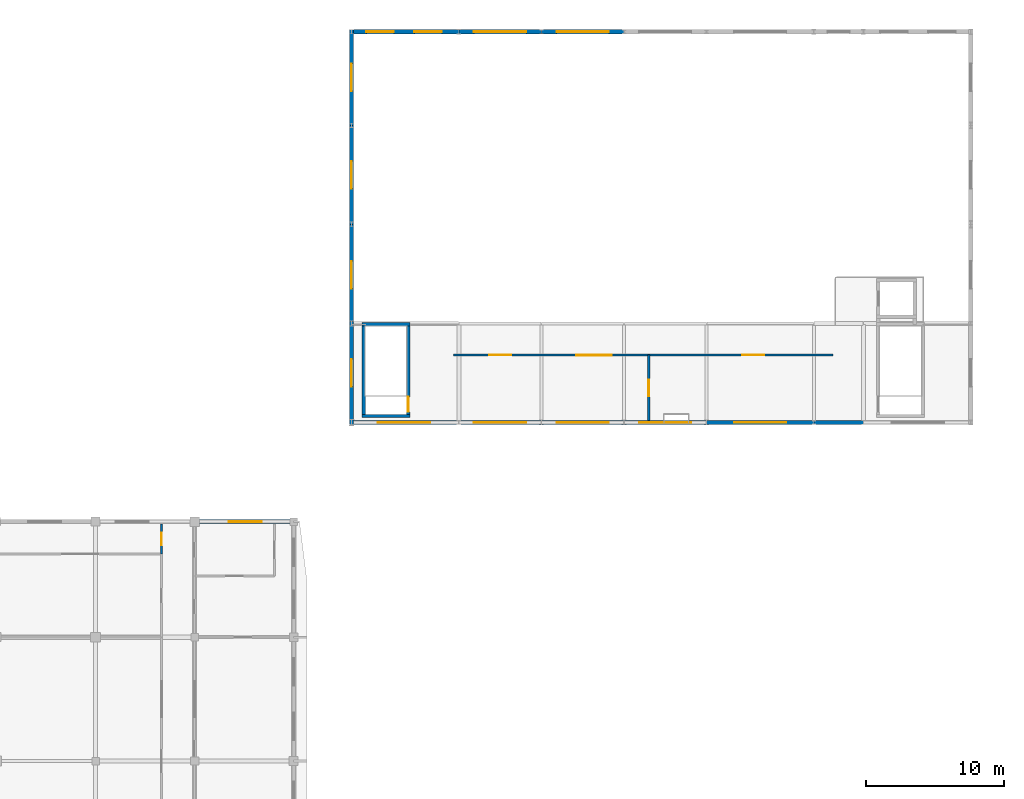
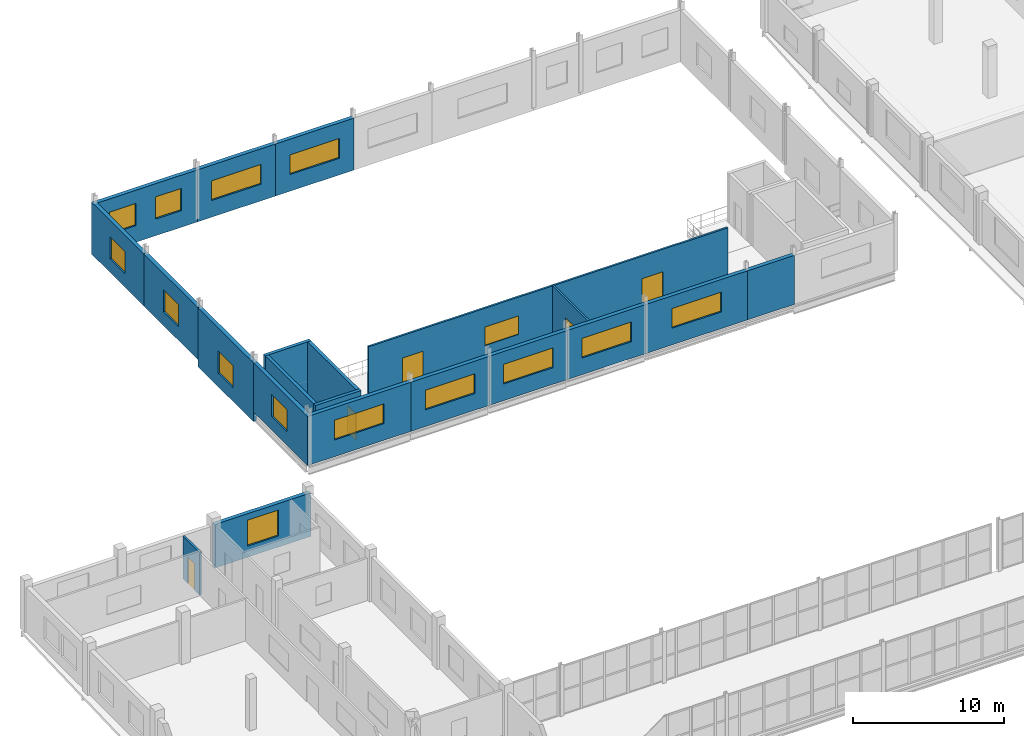
# One storey, part 101 of 121: 22 walls, 16 windows, 4 doors, 20 openings.
"""IFC4 building model written with IfcOpenShell, lengths in metres."""

from ifc_helpers import new_model, si_unit, direction, frame, frame_2d, origin, place, context, subcontext, project, spatial, rectangle, extrude, material, layer, layer_set, type_object, element, fill, save


model = new_model("IFC4")

# Units and contexts
model_context = context("Model", 3, precision=1e-05, world=origin(), true_north=direction((0.0, 1.0)))
body_context = subcontext(model_context, "Body", "Model", "MODEL_VIEW")
ifc_project = project(units=[si_unit("LENGTHUNIT", "METRE"), si_unit("AREAUNIT", "SQUARE_METRE"), si_unit("VOLUMEUNIT", "CUBIC_METRE"), si_unit("PLANEANGLEUNIT", "RADIAN"), si_unit("MASSUNIT", "GRAM", prefix="KILO")], contexts=[model_context])

# Site, building, storey
site_placement = place(None, origin())
site = spatial("IfcSite", under=ifc_project, at=site_placement, CompositionType="ELEMENT")
building_placement = place(site_placement, origin())
building = spatial("IfcBuilding", under=site, at=building_placement, Name="Vinh Khe Railworks Police Headquarters", CompositionType="ELEMENT")
storey_placement = place(building_placement, frame((0.0, 0.0, 4.800048828125)))
storey = spatial("IfcBuildingStorey", under=building, at=storey_placement, Name="L01", CompositionType="ELEMENT", Elevation=4.800048828125)

# Wall
ifc_material_1 = material(Name="Concrete C40/50 (B40)", Category="concrete")
ifc_layer_1 = layer(ifc_material_1, 0.25)
ifc_layer_set_1 = layer_set([ifc_layer_1], Name="Concrete C40/50 (B40)")
wall_type_1 = type_object("IfcWallType", Name="CW-RC-250", PredefinedType="SHEAR", material=ifc_layer_set_1)
wall_1_placement = place(storey_placement, frame((27.27490234375, 138.35009765625, 0.0), z_axis=(0.0, 0.0, 1.0), x_axis=(0.0, 1.0, 0.0)))
element("IfcWall", 1, at=wall_1_placement, inside=storey, type_object=wall_type_1, Name="Core C7 Enclosure Wall L01 STAIR-W", PredefinedType="SHEAR", context=body_context, shape_type="SweptSolid", body=[
    extrude(rectangle(XDim=6.89990234375, YDim=0.25, at=frame_2d((3.449951171875, 0.0))), origin(), (0.0, 0.0, 1.0), 4.25),
])

# Wall, opening, door
wall_2_placement = place(storey_placement, frame((30.52490234375, 138.35009765625, 0.0), z_axis=(0.0, 0.0, 1.0), x_axis=(0.0, 1.0, 0.0)))
wall_2 = element("IfcWall", 2, at=wall_2_placement, inside=storey, type_object=wall_type_1, Name="Core C7 Enclosure Wall L01 STAIR-E", PredefinedType="SHEAR", context=body_context, shape_type="SweptSolid", body=[
    extrude(rectangle(XDim=6.89990234375, YDim=0.25, at=frame_2d((3.449951171875, 0.0))), origin(), (0.0, 0.0, 1.0), 4.25),
])
opening_1_placement = place(wall_2_placement, frame((0.419921875, 0.0, 0.0)))
opening_1 = element("IfcOpeningElement", 3, at=opening_1_placement, cuts=wall_2, Name="Opening FD-01", PredefinedType="OPENING", context=body_context, shape_type="SweptSolid", body=[
    extrude(rectangle(XDim=1.10009765625, YDim=2.14990234375, at=frame_2d((0.550048828125, 1.074951171875))), frame((0.0, 0.139892578125, 0.0), z_axis=(0.0, -1.0, 0.0), x_axis=(1.0, 0.0, 0.0)), (0.0, 0.0, 1.0), 0.27978515625),
])
ifc_material_2 = material(Name="Painted galvanised steel", Category="steel")
door_type_1 = type_object("IfcDoorType", Name="FD-1100x2150", OperationType="NOTDEFINED", PredefinedType="DOOR", material=ifc_material_2)
door_1_placement = place(opening_1_placement, frame((1.10009765625, 0.0, 0.0), z_axis=(0.0, 0.0, 1.0), x_axis=(-1.0, 0.0, 0.0)))
door_1 = element("IfcDoor", 4, at=door_1_placement, inside=storey, type_object=door_type_1, Name="Escape Stair ST-07 Fire Door L01", OperationType="SINGLE_SWING_LEFT", OverallHeight=2.14990234375, OverallWidth=1.10009765625, PredefinedType="DOOR", context=body_context, shape_type="SweptSolid", body=[
    extrude(rectangle(XDim=1.10009765625, YDim=2.14990234375, at=frame_2d((0.550048828125, 1.074951171875))), frame((0.0, 0.02490234375, 0.0), z_axis=(0.0, -1.0, 0.0), x_axis=(1.0, 0.0, 0.0)), (0.0, 0.0, 1.0), 0.050048828125),
])
fill(opening_1, door_1)

# Walls
for number, where, z_axis, x_axis, name in (
    (5, (27.14990234375, 138.47509765625, 0.0), (0.0, 0.0, 1.0), (1.0, 0.0, 0.0), "Core C7 Enclosure Wall L01 STAIR-S"),
    (6, (27.14990234375, 145.125, 0.0), (0.0, 0.0, 1.0), (1.0, 0.0, 0.0), "Core C7 Enclosure Wall L01 STAIR-N"),
):
    element("IfcWall", number, at=place(storey_placement, frame(where, z_axis=z_axis, x_axis=x_axis)), inside=storey, type_object=wall_type_1, Name=name, PredefinedType="SHEAR", context=body_context, shape_type="SweptSolid", body=[
        extrude(rectangle(XDim=3.5, YDim=0.25, at=frame_2d((1.75, 0.0))), origin(), (0.0, 0.0, 1.0), 4.25),
    ])

# Wall, opening, window
ifc_material_3 = material(Name="Clay brickwork", Category="masonry")
ifc_layer_2 = layer(ifc_material_3, 0.300048828125)
ifc_layer_set_2 = layer_set([ifc_layer_2], Name="Clay brickwork")
wall_type_2 = type_object("IfcWallType", Name="EW-BRK-300", PredefinedType="SOLIDWALL", material=ifc_layer_set_2)
wall_3_placement = place(storey_placement, frame((15.0, 130.800048828125, 0.0), z_axis=(0.0, 0.0, 1.0), x_axis=(1.0, 0.0, 0.0)))
wall_3 = element("IfcWall", 7, at=wall_3_placement, inside=storey, type_object=wall_type_2, Name="Exterior Brick Wall EW-L01-V5N-03", PredefinedType="SOLIDWALL", context=body_context, shape_type="SweptSolid", body=[
    extrude(rectangle(XDim=7.35009765625, YDim=0.300048828125, at=frame_2d((3.675048828125, 0.0))), origin(), (0.0, 0.0, 1.0), 3.52490234375),
])
opening_2_placement = place(wall_3_placement, frame((2.47509765625, 0.0, 0.89990234375)))
opening_2 = element("IfcOpeningElement", 8, at=opening_2_placement, cuts=wall_3, Name="Opening WN-02", PredefinedType="OPENING", context=body_context, shape_type="SweptSolid", body=[
    extrude(rectangle(XDim=2.39990234375, YDim=2.10009765625, at=frame_2d((1.199951171875, 1.050048828125))), frame((0.0, 0.1650390625, 0.0), z_axis=(0.0, -1.0, 0.0), x_axis=(1.0, 0.0, 0.0)), (0.0, 0.0, 1.0), 0.329833984375),
])
ifc_material_4 = material(Name="Double-glazed solar-control glass in dark steel frame", Category="steel")
window_type_1 = type_object("IfcWindowType", Name="WIN-WN-02", PartitioningType="DOUBLE_PANEL_VERTICAL", PredefinedType="WINDOW", material=ifc_material_4)
window_1_placement = place(opening_2_placement, origin())
window_1 = element("IfcWindow", 9, at=window_1_placement, inside=storey, type_object=window_type_1, Name="Casement Window WN-02", OverallHeight=2.10009765625, OverallWidth=2.39990234375, PartitioningType="SINGLE_PANEL", PredefinedType="WINDOW", context=body_context, shape_type="SweptSolid", body=[
    extrude(rectangle(XDim=2.39990234375, YDim=2.10009765625, at=frame_2d((1.199951171875, 1.050048828125))), frame((0.0, 0.030029296875, 0.0), z_axis=(0.0, -1.0, 0.0), x_axis=(1.0, 0.0, 0.0)), (0.0, 0.0, 1.0), 0.06005859375),
])
fill(opening_2, window_1)

wall_4_placement = place(storey_placement, frame((26.25, 138.0, 0.0), z_axis=(0.0, 0.0, 1.0), x_axis=(1.0, 0.0, 0.0)))
wall_4 = element("IfcWall", 10, at=wall_4_placement, inside=storey, type_object=wall_type_2, Name="Firing Range South Acoustic Wall L01-1", PredefinedType="SOLIDWALL", context=body_context, shape_type="SweptSolid", body=[
    extrude(rectangle(XDim=7.949951171875, YDim=0.300048828125, at=frame_2d((3.97509765625, 0.0))), origin(), (0.0, 0.0, 1.0), 3.97998046875),
])
opening_3_placement = place(wall_4_placement, frame((2.074951171875, 0.0, 1.35009765625)))
opening_3 = element("IfcOpeningElement", 11, at=opening_3_placement, cuts=wall_4, Name="Opening WN-09", PredefinedType="OPENING", context=body_context, shape_type="SweptSolid", body=[
    extrude(rectangle(XDim=3.800048828125, YDim=1.60009765625, at=frame_2d((1.89990234375, 0.800048828125))), frame((0.0, 0.1650390625, 0.0), z_axis=(0.0, -1.0, 0.0), x_axis=(1.0, 0.0, 0.0)), (0.0, 0.0, 1.0), 0.329833984375),
])
window_type_2 = type_object("IfcWindowType", Name="WIN-WN-09", PartitioningType="TRIPLE_PANEL_HORIZONTAL", PredefinedType="WINDOW", material=ifc_material_4)
window_2_placement = place(opening_3_placement, origin())
window_2 = element("IfcWindow", 12, at=window_2_placement, inside=storey, type_object=window_type_2, Name="Acoustic High Clerestory Window WIN-WN-09", OverallHeight=1.60009765625, OverallWidth=3.800048828125, PartitioningType="SINGLE_PANEL", PredefinedType="WINDOW", context=body_context, shape_type="SweptSolid", body=[
    extrude(rectangle(XDim=3.800048828125, YDim=1.60009765625, at=frame_2d((1.89990234375, 0.800048828125))), frame((0.0, 0.030029296875, 0.0), z_axis=(0.0, -1.0, 0.0), x_axis=(1.0, 0.0, 0.0)), (0.0, 0.0, 1.0), 0.06005859375),
])
fill(opening_3, window_2)

wall_5_placement = place(storey_placement, frame((34.199951171875, 138.0, 0.0), z_axis=(0.0, 0.0, 1.0), x_axis=(1.0, 0.0, 0.0)))
wall_5 = element("IfcWall", 13, at=wall_5_placement, inside=storey, type_object=wall_type_2, Name="Firing Range South Acoustic Wall L01-2", PredefinedType="SOLIDWALL", context=body_context, shape_type="SweptSolid", body=[
    extrude(rectangle(XDim=6.0, YDim=0.300048828125, at=frame_2d((3.0, 0.0))), origin(), (0.0, 0.0, 1.0), 3.97998046875),
])
opening_4_placement = place(wall_5_placement, frame((1.10009765625, 0.0, 1.35009765625)))
opening_4 = element("IfcOpeningElement", 14, at=opening_4_placement, cuts=wall_5, Name="Opening WN-09", PredefinedType="OPENING", context=body_context, shape_type="SweptSolid", body=[
    extrude(rectangle(XDim=3.800048828125, YDim=1.60009765625, at=frame_2d((1.89990234375, 0.800048828125))), frame((0.0, 0.1650390625, 0.0), z_axis=(0.0, -1.0, 0.0), x_axis=(1.0, 0.0, 0.0)), (0.0, 0.0, 1.0), 0.329833984375),
])
window_3_placement = place(opening_4_placement, origin())
window_3 = element("IfcWindow", 15, at=window_3_placement, inside=storey, type_object=window_type_2, Name="Acoustic High Clerestory Window WIN-WN-09", OverallHeight=1.60009765625, OverallWidth=3.800048828125, PartitioningType="SINGLE_PANEL", PredefinedType="WINDOW", context=body_context, shape_type="SweptSolid", body=[
    extrude(rectangle(XDim=3.800048828125, YDim=1.60009765625, at=frame_2d((1.89990234375, 0.800048828125))), frame((0.0, 0.030029296875, 0.0), z_axis=(0.0, -1.0, 0.0), x_axis=(1.0, 0.0, 0.0)), (0.0, 0.0, 1.0), 0.06005859375),
])
fill(opening_4, window_3)

wall_6_placement = place(storey_placement, frame((40.199951171875, 138.0, 0.0), z_axis=(0.0, 0.0, 1.0), x_axis=(1.0, 0.0, 0.0)))
wall_6 = element("IfcWall", 16, at=wall_6_placement, inside=storey, type_object=wall_type_2, Name="Firing Range South Acoustic Wall L01-3", PredefinedType="SOLIDWALL", context=body_context, shape_type="SweptSolid", body=[
    extrude(rectangle(XDim=6.0, YDim=0.300048828125, at=frame_2d((3.0, 0.0))), origin(), (0.0, 0.0, 1.0), 3.97998046875),
])
opening_5_placement = place(wall_6_placement, frame((1.10009765625, 0.0, 1.35009765625)))
opening_5 = element("IfcOpeningElement", 17, at=opening_5_placement, cuts=wall_6, Name="Opening WN-09", PredefinedType="OPENING", context=body_context, shape_type="SweptSolid", body=[
    extrude(rectangle(XDim=3.800048828125, YDim=1.60009765625, at=frame_2d((1.89990234375, 0.800048828125))), frame((0.0, 0.1650390625, 0.0), z_axis=(0.0, -1.0, 0.0), x_axis=(1.0, 0.0, 0.0)), (0.0, 0.0, 1.0), 0.329833984375),
])
window_4_placement = place(opening_5_placement, origin())
window_4 = element("IfcWindow", 18, at=window_4_placement, inside=storey, type_object=window_type_2, Name="Acoustic High Clerestory Window WIN-WN-09", OverallHeight=1.60009765625, OverallWidth=3.800048828125, PartitioningType="SINGLE_PANEL", PredefinedType="WINDOW", context=body_context, shape_type="SweptSolid", body=[
    extrude(rectangle(XDim=3.800048828125, YDim=1.60009765625, at=frame_2d((1.89990234375, 0.800048828125))), frame((0.0, 0.030029296875, 0.0), z_axis=(0.0, -1.0, 0.0), x_axis=(1.0, 0.0, 0.0)), (0.0, 0.0, 1.0), 0.06005859375),
])
fill(opening_5, window_4)

wall_7_placement = place(storey_placement, frame((46.199951171875, 138.0, 0.0), z_axis=(0.0, 0.0, 1.0), x_axis=(1.0, 0.0, 0.0)))
wall_7 = element("IfcWall", 19, at=wall_7_placement, inside=storey, type_object=wall_type_2, Name="Firing Range South Acoustic Wall L01-4", PredefinedType="SOLIDWALL", context=body_context, shape_type="SweptSolid", body=[
    extrude(rectangle(XDim=6.0, YDim=0.300048828125, at=frame_2d((3.0, 0.0))), origin(), (0.0, 0.0, 1.0), 3.97998046875),
])
opening_6_placement = place(wall_7_placement, frame((1.10009765625, 0.0, 1.35009765625)))
opening_6 = element("IfcOpeningElement", 20, at=opening_6_placement, cuts=wall_7, Name="Opening WN-09", PredefinedType="OPENING", context=body_context, shape_type="SweptSolid", body=[
    extrude(rectangle(XDim=3.800048828125, YDim=1.60009765625, at=frame_2d((1.89990234375, 0.800048828125))), frame((0.0, 0.1650390625, 0.0), z_axis=(0.0, -1.0, 0.0), x_axis=(1.0, 0.0, 0.0)), (0.0, 0.0, 1.0), 0.329833984375),
])
window_5_placement = place(opening_6_placement, origin())
window_5 = element("IfcWindow", 21, at=window_5_placement, inside=storey, type_object=window_type_2, Name="Acoustic High Clerestory Window WIN-WN-09", OverallHeight=1.60009765625, OverallWidth=3.800048828125, PartitioningType="SINGLE_PANEL", PredefinedType="WINDOW", context=body_context, shape_type="SweptSolid", body=[
    extrude(rectangle(XDim=3.800048828125, YDim=1.60009765625, at=frame_2d((1.89990234375, 0.800048828125))), frame((0.0, 0.030029296875, 0.0), z_axis=(0.0, -1.0, 0.0), x_axis=(1.0, 0.0, 0.0)), (0.0, 0.0, 1.0), 0.06005859375),
])
fill(opening_6, window_5)

wall_8_placement = place(storey_placement, frame((52.199951171875, 138.0, 0.0), z_axis=(0.0, 0.0, 1.0), x_axis=(1.0, 0.0, 0.0)))
wall_8 = element("IfcWall", 22, at=wall_8_placement, inside=storey, type_object=wall_type_2, Name="Firing Range South Acoustic Wall L01-5", PredefinedType="SOLIDWALL", context=body_context, shape_type="SweptSolid", body=[
    extrude(rectangle(XDim=7.800048828125, YDim=0.300048828125, at=frame_2d((3.89990234375, 0.0))), origin(), (0.0, 0.0, 1.0), 3.97998046875),
])
opening_7_placement = place(wall_8_placement, frame((2.0, 0.0, 1.35009765625)))
opening_7 = element("IfcOpeningElement", 23, at=opening_7_placement, cuts=wall_8, Name="Opening WN-09", PredefinedType="OPENING", context=body_context, shape_type="SweptSolid", body=[
    extrude(rectangle(XDim=3.800048828125, YDim=1.60009765625, at=frame_2d((1.89990234375, 0.800048828125))), frame((0.0, 0.1650390625, 0.0), z_axis=(0.0, -1.0, 0.0), x_axis=(1.0, 0.0, 0.0)), (0.0, 0.0, 1.0), 0.329833984375),
])
window_6_placement = place(opening_7_placement, origin())
window_6 = element("IfcWindow", 24, at=window_6_placement, inside=storey, type_object=window_type_2, Name="Acoustic High Clerestory Window WIN-WN-09", OverallHeight=1.60009765625, OverallWidth=3.800048828125, PartitioningType="SINGLE_PANEL", PredefinedType="WINDOW", context=body_context, shape_type="SweptSolid", body=[
    extrude(rectangle(XDim=3.800048828125, YDim=1.60009765625, at=frame_2d((1.89990234375, 0.800048828125))), frame((0.0, 0.030029296875, 0.0), z_axis=(0.0, -1.0, 0.0), x_axis=(1.0, 0.0, 0.0)), (0.0, 0.0, 1.0), 0.06005859375),
])
fill(opening_7, window_6)

# Wall
wall_9_placement = place(storey_placement, frame((60.0, 138.0, 0.0), z_axis=(0.0, 0.0, 1.0), x_axis=(1.0, 0.0, 0.0)))
element("IfcWall", 25, at=wall_9_placement, inside=storey, type_object=wall_type_2, Name="Firing Range South Acoustic Wall L01-6", PredefinedType="SOLIDWALL", context=body_context, shape_type="SweptSolid", body=[
    extrude(rectangle(XDim=3.60009765625, YDim=0.300048828125, at=frame_2d((1.800048828125, 0.0))), origin(), (0.0, 0.0, 1.0), 3.97998046875),
])

# Wall, openings, windows
wall_10_placement = place(storey_placement, frame((26.25, 166.39990234375, -0.239990234375), z_axis=(0.0, 0.0, 1.0), x_axis=(1.0, 0.0, 0.0)))
wall_10 = element("IfcWall", 26, at=wall_10_placement, inside=storey, type_object=wall_type_2, Name="Exterior Brick Wall EW-L01-V3N-01", PredefinedType="SOLIDWALL", context=body_context, shape_type="SweptSolid", body=[
    extrude(rectangle(XDim=7.949951171875, YDim=0.300048828125, at=frame_2d((3.97509765625, 0.0))), origin(), (0.0, 0.0, 1.0), 4.219970703125),
])
opening_8_placement = place(wall_10_placement, frame((1.22607421875, 0.0, 1.35009765625)))
opening_8 = element("IfcOpeningElement", 27, at=opening_8_placement, cuts=wall_10, Name="Opening WN-04", PredefinedType="OPENING", context=body_context, shape_type="SweptSolid", body=[
    extrude(rectangle(XDim=2.0, YDim=1.800048828125, at=frame_2d((1.0, 0.89990234375))), frame((0.0, 0.1650390625, 0.0), z_axis=(0.0, -1.0, 0.0), x_axis=(1.0, 0.0, 0.0)), (0.0, 0.0, 1.0), 0.329833984375),
])
opening_9_placement = place(wall_10_placement, frame((4.72412109375, 0.0, 1.35009765625)))
opening_9 = element("IfcOpeningElement", 28, at=opening_9_placement, cuts=wall_10, Name="Opening WN-04", PredefinedType="OPENING", context=body_context, shape_type="SweptSolid", body=[
    extrude(rectangle(XDim=2.0, YDim=1.800048828125, at=frame_2d((1.0, 0.89990234375))), frame((0.0, 0.1650390625, 0.0), z_axis=(0.0, -1.0, 0.0), x_axis=(1.0, 0.0, 0.0)), (0.0, 0.0, 1.0), 0.329833984375),
])
window_type_3 = type_object("IfcWindowType", Name="WIN-WN-04", PartitioningType="DOUBLE_PANEL_VERTICAL", PredefinedType="WINDOW", material=ifc_material_4)
window_7_placement = place(opening_8_placement, origin())
window_7 = element("IfcWindow", 29, at=window_7_placement, inside=storey, type_object=window_type_3, Name="Casement Window WN-04", OverallHeight=1.800048828125, OverallWidth=2.0, PartitioningType="SINGLE_PANEL", PredefinedType="WINDOW", context=body_context, shape_type="SweptSolid", body=[
    extrude(rectangle(XDim=2.0, YDim=1.800048828125, at=frame_2d((1.0, 0.89990234375))), frame((0.0, 0.030029296875, 0.0), z_axis=(0.0, -1.0, 0.0), x_axis=(1.0, 0.0, 0.0)), (0.0, 0.0, 1.0), 0.06005859375),
])
fill(opening_8, window_7)
window_8_placement = place(opening_9_placement, origin())
window_8 = element("IfcWindow", 30, at=window_8_placement, inside=storey, type_object=window_type_3, Name="Casement Window WN-04", OverallHeight=1.800048828125, OverallWidth=2.0, PartitioningType="SINGLE_PANEL", PredefinedType="WINDOW", context=body_context, shape_type="SweptSolid", body=[
    extrude(rectangle(XDim=2.0, YDim=1.800048828125, at=frame_2d((1.0, 0.89990234375))), frame((0.0, 0.030029296875, 0.0), z_axis=(0.0, -1.0, 0.0), x_axis=(1.0, 0.0, 0.0)), (0.0, 0.0, 1.0), 0.06005859375),
])
fill(opening_9, window_8)

# Wall, opening, window
wall_11_placement = place(storey_placement, frame((34.199951171875, 166.39990234375, -0.239990234375), z_axis=(0.0, 0.0, 1.0), x_axis=(1.0, 0.0, 0.0)))
wall_11 = element("IfcWall", 31, at=wall_11_placement, inside=storey, type_object=wall_type_2, Name="Exterior Brick Wall EW-L01-V3N-02", PredefinedType="SOLIDWALL", context=body_context, shape_type="SweptSolid", body=[
    extrude(rectangle(XDim=6.0, YDim=0.300048828125, at=frame_2d((3.0, 0.0))), origin(), (0.0, 0.0, 1.0), 4.219970703125),
])
opening_10_placement = place(wall_11_placement, frame((1.10009765625, 0.0, 1.35009765625)))
opening_10 = element("IfcOpeningElement", 32, at=opening_10_placement, cuts=wall_11, Name="Opening WN-09", PredefinedType="OPENING", context=body_context, shape_type="SweptSolid", body=[
    extrude(rectangle(XDim=3.800048828125, YDim=1.60009765625, at=frame_2d((1.89990234375, 0.800048828125))), frame((0.0, 0.1650390625, 0.0), z_axis=(0.0, -1.0, 0.0), x_axis=(1.0, 0.0, 0.0)), (0.0, 0.0, 1.0), 0.329833984375),
])
window_9_placement = place(opening_10_placement, origin())
window_9 = element("IfcWindow", 33, at=window_9_placement, inside=storey, type_object=window_type_2, Name="Casement Window WN-09", OverallHeight=1.60009765625, OverallWidth=3.800048828125, PartitioningType="SINGLE_PANEL", PredefinedType="WINDOW", context=body_context, shape_type="SweptSolid", body=[
    extrude(rectangle(XDim=3.800048828125, YDim=1.60009765625, at=frame_2d((1.89990234375, 0.800048828125))), frame((0.0, 0.030029296875, 0.0), z_axis=(0.0, -1.0, 0.0), x_axis=(1.0, 0.0, 0.0)), (0.0, 0.0, 1.0), 0.06005859375),
])
fill(opening_10, window_9)

wall_12_placement = place(storey_placement, frame((40.199951171875, 166.39990234375, -0.239990234375), z_axis=(0.0, 0.0, 1.0), x_axis=(1.0, 0.0, 0.0)))
wall_12 = element("IfcWall", 34, at=wall_12_placement, inside=storey, type_object=wall_type_2, Name="Exterior Brick Wall EW-L01-V3N-03", PredefinedType="SOLIDWALL", context=body_context, shape_type="SweptSolid", body=[
    extrude(rectangle(XDim=6.0, YDim=0.300048828125, at=frame_2d((3.0, 0.0))), origin(), (0.0, 0.0, 1.0), 4.219970703125),
])
opening_11_placement = place(wall_12_placement, frame((1.10009765625, 0.0, 1.35009765625)))
opening_11 = element("IfcOpeningElement", 35, at=opening_11_placement, cuts=wall_12, Name="Opening WN-09", PredefinedType="OPENING", context=body_context, shape_type="SweptSolid", body=[
    extrude(rectangle(XDim=3.800048828125, YDim=1.60009765625, at=frame_2d((1.89990234375, 0.800048828125))), frame((0.0, 0.1650390625, 0.0), z_axis=(0.0, -1.0, 0.0), x_axis=(1.0, 0.0, 0.0)), (0.0, 0.0, 1.0), 0.329833984375),
])
window_10_placement = place(opening_11_placement, origin())
window_10 = element("IfcWindow", 36, at=window_10_placement, inside=storey, type_object=window_type_2, Name="Casement Window WN-09", OverallHeight=1.60009765625, OverallWidth=3.800048828125, PartitioningType="SINGLE_PANEL", PredefinedType="WINDOW", context=body_context, shape_type="SweptSolid", body=[
    extrude(rectangle(XDim=3.800048828125, YDim=1.60009765625, at=frame_2d((1.89990234375, 0.800048828125))), frame((0.0, 0.030029296875, 0.0), z_axis=(0.0, -1.0, 0.0), x_axis=(1.0, 0.0, 0.0)), (0.0, 0.0, 1.0), 0.06005859375),
])
fill(opening_11, window_10)

wall_13_placement = place(storey_placement, frame((26.39990234375, 137.85009765625, 0.0), z_axis=(0.0, 0.0, 1.0), x_axis=(0.0, 1.0, 0.0)))
wall_13 = element("IfcWall", 37, at=wall_13_placement, inside=storey, type_object=wall_type_2, Name="Exterior Brick Wall EW-L01-V3WM-01", PredefinedType="SOLIDWALL", context=body_context, shape_type="SweptSolid", body=[
    extrude(rectangle(XDim=7.5, YDim=0.300048828125, at=frame_2d((3.75, 0.0))), origin(), (0.0, 0.0, 1.0), 3.97998046875),
])
opening_12_placement = place(wall_13_placement, frame((2.75, 0.0, 1.10009765625)))
opening_12 = element("IfcOpeningElement", 38, at=opening_12_placement, cuts=wall_13, Name="Opening WN-04", PredefinedType="OPENING", context=body_context, shape_type="SweptSolid", body=[
    extrude(rectangle(XDim=2.0, YDim=1.800048828125, at=frame_2d((1.0, 0.89990234375))), frame((0.0, 0.1650390625, 0.0), z_axis=(0.0, -1.0, 0.0), x_axis=(1.0, 0.0, 0.0)), (0.0, 0.0, 1.0), 0.329833984375),
])
window_11_placement = place(opening_12_placement, origin())
window_11 = element("IfcWindow", 39, at=window_11_placement, inside=storey, type_object=window_type_3, Name="Casement Window WN-04", OverallHeight=1.800048828125, OverallWidth=2.0, PartitioningType="SINGLE_PANEL", PredefinedType="WINDOW", context=body_context, shape_type="SweptSolid", body=[
    extrude(rectangle(XDim=2.0, YDim=1.800048828125, at=frame_2d((1.0, 0.89990234375))), frame((0.0, 0.030029296875, 0.0), z_axis=(0.0, -1.0, 0.0), x_axis=(1.0, 0.0, 0.0)), (0.0, 0.0, 1.0), 0.06005859375),
])
fill(opening_12, window_11)

wall_14_placement = place(storey_placement, frame((26.39990234375, 145.050048828125, -0.795166015625), z_axis=(0.0, 0.0, 1.0), x_axis=(0.0, 1.0, 0.0)))
wall_14 = element("IfcWall", 40, at=wall_14_placement, inside=storey, type_object=wall_type_2, Name="Exterior Brick Wall EW-L01-V3W-01", PredefinedType="SOLIDWALL", context=body_context, shape_type="SweptSolid", body=[
    extrude(rectangle(XDim=7.349853515625, YDim=0.300048828125, at=frame_2d((3.6748046875, 0.0))), origin(), (0.0, 0.0, 1.0), 4.775146484375),
])
opening_13_placement = place(wall_14_placement, frame((2.675048828125, 0.0, 1.10009765625)))
opening_13 = element("IfcOpeningElement", 41, at=opening_13_placement, cuts=wall_14, Name="Opening WN-04", PredefinedType="OPENING", context=body_context, shape_type="SweptSolid", body=[
    extrude(rectangle(XDim=2.0, YDim=1.800048828125, at=frame_2d((1.0, 0.89990234375))), frame((0.0, 0.1650390625, 0.0), z_axis=(0.0, -1.0, 0.0), x_axis=(1.0, 0.0, 0.0)), (0.0, 0.0, 1.0), 0.329833984375),
])
window_12_placement = place(opening_13_placement, origin())
window_12 = element("IfcWindow", 42, at=window_12_placement, inside=storey, type_object=window_type_3, Name="Casement Window WN-04", OverallHeight=1.800048828125, OverallWidth=2.0, PartitioningType="SINGLE_PANEL", PredefinedType="WINDOW", context=body_context, shape_type="SweptSolid", body=[
    extrude(rectangle(XDim=2.0, YDim=1.800048828125, at=frame_2d((1.0, 0.89990234375))), frame((0.0, 0.030029296875, 0.0), z_axis=(0.0, -1.0, 0.0), x_axis=(1.0, 0.0, 0.0)), (0.0, 0.0, 1.0), 0.06005859375),
])
fill(opening_13, window_12)

wall_15_placement = place(storey_placement, frame((26.39990234375, 152.39990234375, -0.239990234375), z_axis=(0.0, 0.0, 1.0), x_axis=(0.0, 1.0, 0.0)))
wall_15 = element("IfcWall", 43, at=wall_15_placement, inside=storey, type_object=wall_type_2, Name="Exterior Brick Wall EW-L01-V3W-02", PredefinedType="SOLIDWALL", context=body_context, shape_type="SweptSolid", body=[
    extrude(rectangle(XDim=7.2001953125, YDim=0.300048828125, at=frame_2d((3.60009765625, 0.0))), origin(), (0.0, 0.0, 1.0), 4.219970703125),
])
opening_14_placement = place(wall_15_placement, frame((2.60009765625, 0.0, 1.10009765625)))
opening_14 = element("IfcOpeningElement", 44, at=opening_14_placement, cuts=wall_15, Name="Opening WN-04", PredefinedType="OPENING", context=body_context, shape_type="SweptSolid", body=[
    extrude(rectangle(XDim=2.0, YDim=1.800048828125, at=frame_2d((1.0, 0.89990234375))), frame((0.0, 0.1650390625, 0.0), z_axis=(0.0, -1.0, 0.0), x_axis=(1.0, 0.0, 0.0)), (0.0, 0.0, 1.0), 0.329833984375),
])
window_13_placement = place(opening_14_placement, origin())
window_13 = element("IfcWindow", 45, at=window_13_placement, inside=storey, type_object=window_type_3, Name="Casement Window WN-04", OverallHeight=1.800048828125, OverallWidth=2.0, PartitioningType="SINGLE_PANEL", PredefinedType="WINDOW", context=body_context, shape_type="SweptSolid", body=[
    extrude(rectangle(XDim=2.0, YDim=1.800048828125, at=frame_2d((1.0, 0.89990234375))), frame((0.0, 0.030029296875, 0.0), z_axis=(0.0, -1.0, 0.0), x_axis=(1.0, 0.0, 0.0)), (0.0, 0.0, 1.0), 0.06005859375),
])
fill(opening_14, window_13)

wall_16_placement = place(storey_placement, frame((26.39990234375, 159.60009765625, -0.239990234375), z_axis=(0.0, 0.0, 1.0), x_axis=(0.0, 1.0, 0.0)))
wall_16 = element("IfcWall", 46, at=wall_16_placement, inside=storey, type_object=wall_type_2, Name="Exterior Brick Wall EW-L01-V3W-03", PredefinedType="SOLIDWALL", context=body_context, shape_type="SweptSolid", body=[
    extrude(rectangle(XDim=6.949951171875, YDim=0.300048828125, at=frame_2d((3.47509765625, 0.0))), origin(), (0.0, 0.0, 1.0), 4.219970703125),
])
opening_15_placement = place(wall_16_placement, frame((2.47509765625, 0.0, 1.10009765625)))
opening_15 = element("IfcOpeningElement", 47, at=opening_15_placement, cuts=wall_16, Name="Opening WN-04", PredefinedType="OPENING", context=body_context, shape_type="SweptSolid", body=[
    extrude(rectangle(XDim=2.0, YDim=1.800048828125, at=frame_2d((1.0, 0.89990234375))), frame((0.0, 0.1650390625, 0.0), z_axis=(0.0, -1.0, 0.0), x_axis=(1.0, 0.0, 0.0)), (0.0, 0.0, 1.0), 0.329833984375),
])
window_14_placement = place(opening_15_placement, origin())
window_14 = element("IfcWindow", 48, at=window_14_placement, inside=storey, type_object=window_type_3, Name="Casement Window WN-04", OverallHeight=1.800048828125, OverallWidth=2.0, PartitioningType="SINGLE_PANEL", PredefinedType="WINDOW", context=body_context, shape_type="SweptSolid", body=[
    extrude(rectangle(XDim=2.0, YDim=1.800048828125, at=frame_2d((1.0, 0.89990234375))), frame((0.0, 0.030029296875, 0.0), z_axis=(0.0, -1.0, 0.0), x_axis=(1.0, 0.0, 0.0)), (0.0, 0.0, 1.0), 0.06005859375),
])
fill(opening_15, window_14)

ifc_material_5 = material(Name="Gypsum plasterboard on steel stud", Category="steel")
ifc_layer_3 = layer(ifc_material_5, 0.1201171875)
ifc_layer_set_3 = layer_set([ifc_layer_3], Name="Gypsum plasterboard on steel stud")
wall_type_3 = type_object("IfcWallType", Name="IW-PART-120", PredefinedType="PARTITIONING", material=ifc_layer_set_3)
wall_17_placement = place(storey_placement, frame((48.0, 138.139892578125, 0.0), z_axis=(0.0, 0.0, 1.0), x_axis=(0.0, 1.0, 0.0)))
wall_17 = element("IfcWall", 49, at=wall_17_placement, inside=storey, type_object=wall_type_3, Name="Interior Partition W-L01-V3-DIV", PredefinedType="PARTITIONING", context=body_context, shape_type="SweptSolid", body=[
    extrude(rectangle(XDim=4.760009765625, YDim=0.14990234375, at=frame_2d((2.3798828125, 0.0))), origin(), (0.0, 0.0, 1.0), 3.974853515625),
])
opening_16_placement = place(wall_17_placement, frame((1.780029296875, 0.0, 0.949951171875)))
opening_16 = element("IfcOpeningElement", 50, at=opening_16_placement, cuts=wall_17, Name="Opening WN-10", PredefinedType="OPENING", context=body_context, shape_type="SweptSolid", body=[
    extrude(rectangle(XDim=1.199951171875, YDim=1.5, at=frame_2d((0.60009765625, 0.75))), frame((0.0, 0.08984375, 0.0), z_axis=(0.0, -1.0, 0.0), x_axis=(1.0, 0.0, 0.0)), (0.0, 0.0, 1.0), 0.1796875),
])
window_type_4 = type_object("IfcWindowType", Name="WIN-WN-10", PartitioningType="SINGLE_PANEL", PredefinedType="WINDOW", material=ifc_material_4)
window_15_placement = place(opening_16_placement, origin())
window_15 = element("IfcWindow", 51, at=window_15_placement, inside=storey, type_object=window_type_4, Name="Interior Acoustic Vision Window WN-10", OverallHeight=1.5, OverallWidth=1.199951171875, PartitioningType="SINGLE_PANEL", PredefinedType="WINDOW", context=body_context, shape_type="SweptSolid", body=[
    extrude(rectangle(XDim=1.199951171875, YDim=1.5, at=frame_2d((0.60009765625, 0.75))), frame((0.0, 0.030029296875, 0.0), z_axis=(0.0, -1.0, 0.0), x_axis=(1.0, 0.0, 0.0)), (0.0, 0.0, 1.0), 0.06005859375),
])
fill(opening_16, window_15)

# Wall, opening, door
ifc_material_6 = material(Name="Gypsum plasterboard on acoustic steel stud", Category="steel")
ifc_layer_4 = layer(ifc_material_6, 0.14990234375)
ifc_layer_set_4 = layer_set([ifc_layer_4], Name="Gypsum plasterboard on acoustic steel stud")
wall_type_4 = type_object("IfcWallType", Name="IW-PART-150", PredefinedType="PARTITIONING", material=ifc_layer_set_4)
wall_18_placement = place(storey_placement, frame((12.60009765625, 128.43994140625, 0.0), z_axis=(0.0, 0.0, 1.0), x_axis=(0.0, 1.0, 0.0)))
wall_18 = element("IfcWall", 52, at=wall_18_placement, inside=storey, type_object=wall_type_4, Name="Interior Partition W-L01-V5-WCL1-CW", PredefinedType="PARTITIONING", context=body_context, shape_type="SweptSolid", body=[
    extrude(rectangle(XDim=2.199951171875, YDim=0.14990234375, at=frame_2d((1.10009765625, 0.0))), origin(), (0.0, 0.0, 1.0), 3.474853515625),
])
opening_17_placement = place(wall_18_placement, frame((0.64990234375, 0.0, 0.0)))
opening_17 = element("IfcOpeningElement", 53, at=opening_17_placement, cuts=wall_18, Name="Opening D-04", PredefinedType="OPENING", context=body_context, shape_type="SweptSolid", body=[
    extrude(rectangle(XDim=0.89990234375, YDim=2.14990234375, at=frame_2d((0.449951171875, 1.074951171875))), frame((0.0, 0.08984375, 0.0), z_axis=(0.0, -1.0, 0.0), x_axis=(1.0, 0.0, 0.0)), (0.0, 0.0, 1.0), 0.1796875),
])
ifc_material_7 = material(Name="Seasoned hardwood timber", Category="wood")
door_type_2 = type_object("IfcDoorType", Name="ID-900x2150", OperationType="NOTDEFINED", PredefinedType="DOOR", material=ifc_material_7)
door_2_placement = place(opening_17_placement, origin())
door_2 = element("IfcDoor", 54, at=door_2_placement, inside=storey, type_object=door_type_2, Name="Staff WC L01 West Door", OperationType="SINGLE_SWING_RIGHT", OverallHeight=2.14990234375, OverallWidth=0.89990234375, PredefinedType="DOOR", context=body_context, shape_type="SweptSolid", body=[
    extrude(rectangle(XDim=0.89990234375, YDim=2.14990234375, at=frame_2d((0.449951171875, 1.074951171875))), frame((0.0, 0.02490234375, 0.0), z_axis=(0.0, -1.0, 0.0), x_axis=(1.0, 0.0, 0.0)), (0.0, 0.0, 1.0), 0.050048828125),
])
fill(opening_17, door_2)

# Wall, openings, door, window
wall_19_placement = place(storey_placement, frame((33.800048828125, 142.89990234375, 0.0), z_axis=(0.0, 0.0, 1.0), x_axis=(1.0, 0.0, 0.0)))
wall_19 = element("IfcWall", 55, at=wall_19_placement, inside=storey, type_object=wall_type_4, Name="Interior Partition W-L01-V3-FIT", PredefinedType="PARTITIONING", context=body_context, shape_type="SweptSolid", body=[
    extrude(rectangle(XDim=14.199951171875, YDim=0.14990234375, at=frame_2d((7.10009765625, 0.0))), origin(), (0.0, 0.0, 1.0), 3.974853515625),
])
opening_18_placement = place(wall_19_placement, frame((2.60009765625, 0.0, 0.0)))
opening_18 = element("IfcOpeningElement", 56, at=opening_18_placement, cuts=wall_19, Name="Opening D-03", PredefinedType="OPENING", context=body_context, shape_type="SweptSolid", body=[
    extrude(rectangle(XDim=1.60009765625, YDim=2.14990234375, at=frame_2d((0.800048828125, 1.074951171875))), frame((0.0, 0.08984375, 0.0), z_axis=(0.0, -1.0, 0.0), x_axis=(1.0, 0.0, 0.0)), (0.0, 0.0, 1.0), 0.1796875),
])
opening_19_placement = place(wall_19_placement, frame((8.924072265625, 0.0, 0.949951171875)))
opening_19 = element("IfcOpeningElement", 57, at=opening_19_placement, cuts=wall_19, Name="Opening WN-07", PredefinedType="OPENING", context=body_context, shape_type="SweptSolid", body=[
    extrude(rectangle(XDim=2.60009765625, YDim=1.5, at=frame_2d((1.300048828125, 0.75))), frame((0.0, 0.08984375, 0.0), z_axis=(0.0, -1.0, 0.0), x_axis=(1.0, 0.0, 0.0)), (0.0, 0.0, 1.0), 0.1796875),
])
door_type_3 = type_object("IfcDoorType", Name="ID-1600x2150", OperationType="DOUBLE_DOOR_SINGLE_SWING", PredefinedType="DOOR", material=ifc_material_2)
door_3_placement = place(opening_18_placement, origin())
door_3 = element("IfcDoor", 58, at=door_3_placement, inside=storey, type_object=door_type_3, Name="Fitness Studio Door", OperationType="DOUBLE_DOOR_SINGLE_SWING", OverallHeight=2.14990234375, OverallWidth=1.60009765625, PredefinedType="DOOR", context=body_context, shape_type="SweptSolid", body=[
    extrude(rectangle(XDim=1.60009765625, YDim=2.14990234375, at=frame_2d((0.800048828125, 1.074951171875))), frame((0.0, 0.02490234375, 0.0), z_axis=(0.0, -1.0, 0.0), x_axis=(1.0, 0.0, 0.0)), (0.0, 0.0, 1.0), 0.050048828125),
])
fill(opening_18, door_3)
window_type_5 = type_object("IfcWindowType", Name="WIN-WN-07", PartitioningType="DOUBLE_PANEL_HORIZONTAL", PredefinedType="WINDOW", material=ifc_material_4)
window_16_placement = place(opening_19_placement, origin())
window_16 = element("IfcWindow", 59, at=window_16_placement, inside=storey, type_object=window_type_5, Name="Interior Acoustic Vision Window WN-07", OverallHeight=1.5, OverallWidth=2.60009765625, PartitioningType="SINGLE_PANEL", PredefinedType="WINDOW", context=body_context, shape_type="SweptSolid", body=[
    extrude(rectangle(XDim=2.60009765625, YDim=1.5, at=frame_2d((1.300048828125, 0.75))), frame((0.0, 0.030029296875, 0.0), z_axis=(0.0, -1.0, 0.0), x_axis=(1.0, 0.0, 0.0)), (0.0, 0.0, 1.0), 0.06005859375),
])
fill(opening_19, window_16)

# Wall, opening, door
wall_20_placement = place(storey_placement, frame((48.0, 142.89990234375, 0.0), z_axis=(0.0, 0.0, 1.0), x_axis=(1.0, 0.0, 0.0)))
wall_20 = element("IfcWall", 60, at=wall_20_placement, inside=storey, type_object=wall_type_4, Name="Interior Partition W-L01-V3-DEF", PredefinedType="PARTITIONING", context=body_context, shape_type="SweptSolid", body=[
    extrude(rectangle(XDim=13.39990234375, YDim=0.14990234375, at=frame_2d((6.699951171875, 0.0))), origin(), (0.0, 0.0, 1.0), 3.974853515625),
])
opening_20_placement = place(wall_20_placement, frame((6.800048828125, 0.0, 0.0)))
opening_20 = element("IfcOpeningElement", 61, at=opening_20_placement, cuts=wall_20, Name="Opening D-03", PredefinedType="OPENING", context=body_context, shape_type="SweptSolid", body=[
    extrude(rectangle(XDim=1.60009765625, YDim=2.14990234375, at=frame_2d((0.800048828125, 1.074951171875))), frame((0.0, 0.08984375, 0.0), z_axis=(0.0, -1.0, 0.0), x_axis=(1.0, 0.0, 0.0)), (0.0, 0.0, 1.0), 0.1796875),
])
door_4_placement = place(opening_20_placement, origin())
door_4 = element("IfcDoor", 62, at=door_4_placement, inside=storey, type_object=door_type_3, Name="Defensive Tactics Door", OperationType="DOUBLE_DOOR_SINGLE_SWING", OverallHeight=2.14990234375, OverallWidth=1.60009765625, PredefinedType="DOOR", context=body_context, shape_type="SweptSolid", body=[
    extrude(rectangle(XDim=1.60009765625, YDim=2.14990234375, at=frame_2d((0.800048828125, 1.074951171875))), frame((0.0, 0.02490234375, 0.0), z_axis=(0.0, -1.0, 0.0), x_axis=(1.0, 0.0, 0.0)), (0.0, 0.0, 1.0), 0.050048828125),
])
fill(opening_20, door_4)

save(model, "model.ifc")
